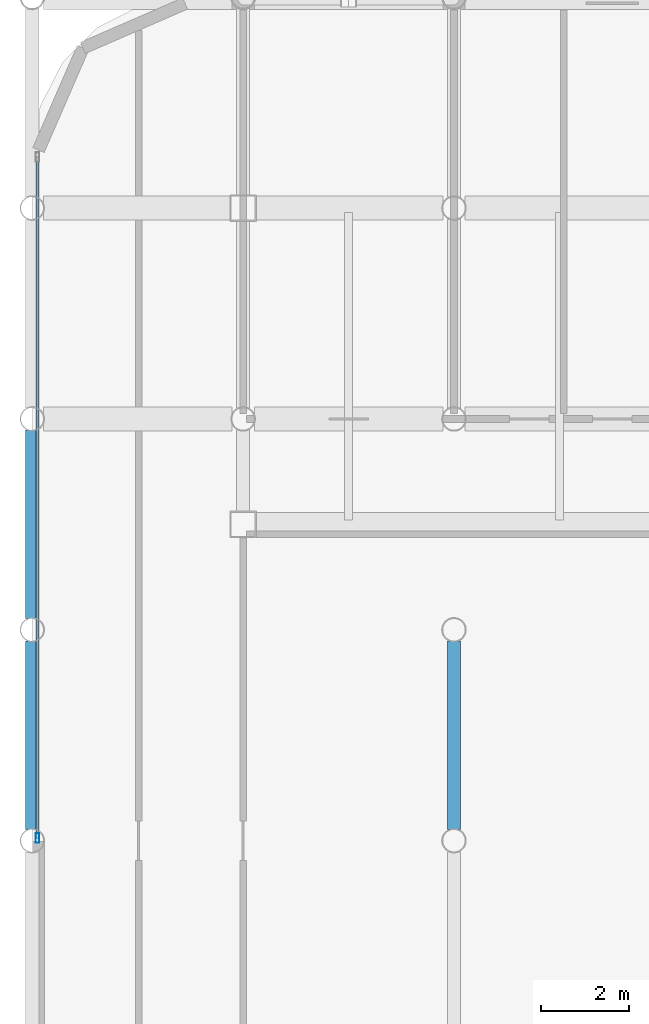
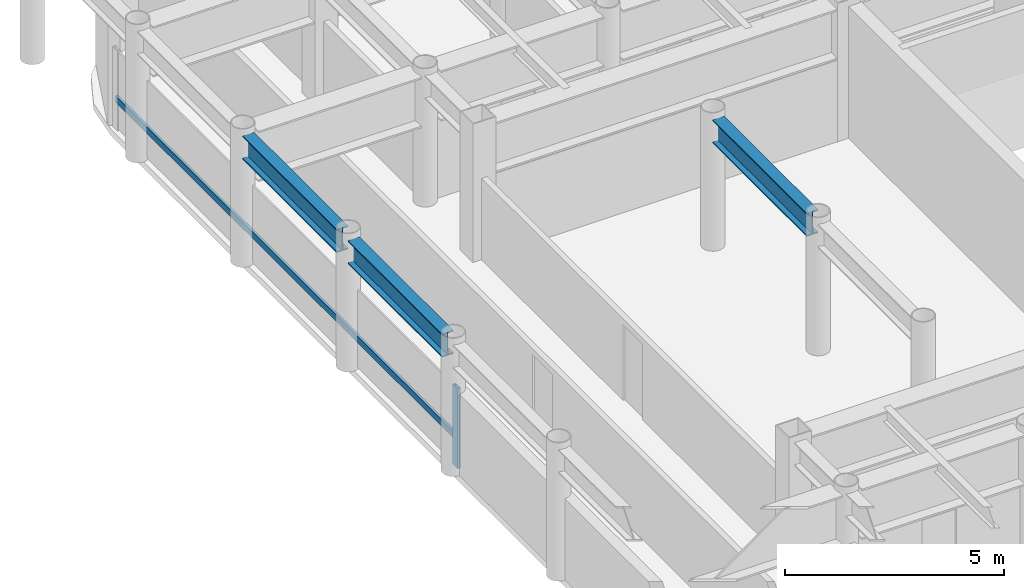
# One storey, part 6 of 22: 3 beams, 2 members, 1 element without a shape of its own.
"""IFC4 building model written with IfcOpenShell, lengths in metres."""

from ifc_helpers import new_model, si_unit, direction, frame, origin, origin_2d, place, context, subcontext, project, spatial, hollow_rectangle, i_section, extrude, material, layer, layer_set, material_profile, profile_set, type_object, element, aggregate, save


model = new_model("IFC4")

# Units and contexts
model_context = context("Model", 3, precision=1e-05, world=origin(), true_north=direction((0.0, 1.0)))
body_context = subcontext(model_context, "Body", "Model", "MODEL_VIEW")
ifc_project = project(units=[si_unit("LENGTHUNIT", "METRE"), si_unit("AREAUNIT", "SQUARE_METRE"), si_unit("VOLUMEUNIT", "CUBIC_METRE"), si_unit("PLANEANGLEUNIT", "RADIAN"), si_unit("MASSUNIT", "GRAM", prefix="KILO")], contexts=[model_context])

# Site, building, storey
site_placement = place(None, origin())
site = spatial("IfcSite", under=ifc_project, at=site_placement, CompositionType="ELEMENT")
building_placement = place(site_placement, origin())
building = spatial("IfcBuilding", under=site, at=building_placement, Name="Kallvorn Hotel Tower", CompositionType="ELEMENT")
storey_placement = place(building_placement, frame((0.0, 0.0, 191.5)))
storey = spatial("IfcBuildingStorey", under=building, at=storey_placement, Name="L47", CompositionType="ELEMENT", Elevation=191.5)

# Beams
ifc_material_1 = material(Name="Structural steel S355JR", Category="steel")
ifc_material_profile_1 = material_profile(ifc_material_1, i_section(OverallWidth=0.300048828125, OverallDepth=0.64990234375, WebThickness=0.01611328125, FlangeThickness=0.031005859375, at=origin_2d()), Name="HE 650 B")
ifc_profile_set_1 = profile_set([ifc_material_profile_1], Name="Structural steel S355JR")
beam_type = type_object("IfcBeamType", Name="BM_HE650B", PredefinedType="BEAM", material=ifc_profile_set_1)
for number, where, z_axis, x_axis, name in (
    (1, (-28.800048828125, 0.25439453125, 3.344970703125), (0.0, 1.0, 0.0), (-1.0, 0.0, 0.0), "L48 Primary Y-Girder 77"),
    (2, (-28.800048828125, 5.054443359375, 3.344970703125), (0.0, 1.0, 0.0), (-1.0, 0.0, 0.0), "L48 Primary Y-Girder 78"),
    (3, (-19.199951171875, 0.25439453125, 3.344970703125), (0.0, 1.0, 0.0), (-1.0, 0.0, 0.0), "L48 Primary Y-Girder 93"),
):
    element("IfcBeam", number, at=place(storey_placement, frame(where, z_axis=z_axis, x_axis=x_axis)), inside=storey, type_object=beam_type, Name=name, PredefinedType="BEAM", context=body_context, shape_type="SweptSolid", body=[
        extrude(i_section(OverallWidth=0.300048828125, OverallDepth=0.64990234375, WebThickness=0.01611328125, FlangeThickness=0.031005859375, at=origin_2d()), origin(), (0.0, 0.0, 1.0), 4.291015625),
    ])

# Curtain wall, members
ifc_material_2 = material(Name="Thermally broken black-anodised aluminium AA 6063-T6", Category="aluminium")
ifc_layer = layer(ifc_material_2, 0.22998046875)
ifc_layer_set = layer_set([ifc_layer], Name="CW_SYS_5_HOTEL_HIGH")
curtain_wall_type = type_object("IfcCurtainWallType", Name="CW_SYS_5_HOTEL_HIGH", PredefinedType="USERDEFINED", material=ifc_layer_set)
curtain_wall_placement = place(storey_placement, origin())
curtain_wall = element("IfcCurtainWall", 4, at=curtain_wall_placement, inside=storey, type_object=curtain_wall_type, Name="L47 Dark-Glass Curtain Wall CW-L47-WN", ObjectType="UNITISED CURTAIN WALL", PredefinedType="USERDEFINED")
ifc_material_3 = material(Name="Thermally broken black-anodised aluminium AA 6063-T6", Category="aluminium")
ifc_material_profile_2 = material_profile(ifc_material_3, hollow_rectangle(XDim=0.080078125, YDim=0.219970703125, WallThickness=0.0048828125, at=origin_2d()), Name="MUL 220x80")
ifc_profile_set_2 = profile_set([ifc_material_profile_2], Name="Thermally broken black-anodised aluminium AA 6063-T6")
member_type_1 = type_object("IfcMemberType", Name="CW_MULLION_220x80", PredefinedType="MULLION", material=ifc_profile_set_2)
member_1_placement = place(storey_placement, frame((-28.679931640625, 0.06005859375, 0.02001953125), z_axis=(0.0, 0.0, 1.0), x_axis=(1.0, 0.0, 0.0)))
member_1 = element("IfcMember", 5, at=member_1_placement, type_object=member_type_1, Name="CW-L47-WN Mullion 00", PredefinedType="MULLION", context=body_context, shape_type="SweptSolid", body=[
    extrude(hollow_rectangle(XDim=0.080078125, YDim=0.219970703125, WallThickness=0.0048828125, at=origin_2d()), origin(), (0.0, 0.0, 1.0), 2.22998046875),
])
ifc_material_4 = material(Name="Thermally broken black-anodised aluminium AA 6063-T6", Category="aluminium")
ifc_material_profile_3 = material_profile(ifc_material_4, hollow_rectangle(XDim=0.070068359375, YDim=0.179931640625, WallThickness=0.00390625, at=origin_2d()), Name="TRN 180x70")
ifc_profile_set_3 = profile_set([ifc_material_profile_3], Name="Thermally broken black-anodised aluminium AA 6063-T6")
member_type_2 = type_object("IfcMemberType", Name="CW_TRANSOM_180x70", PredefinedType="USERDEFINED", material=ifc_profile_set_3)
member_2_placement = place(storey_placement, frame((-28.679931640625, 0.06005859375, 0.85009765625), z_axis=(0.0, 1.0, 0.0), x_axis=(-1.0, 0.0, 0.0)))
member_2 = element("IfcMember", 6, at=member_2_placement, type_object=member_type_2, Name="CW-L47-WN Transom 00M", ObjectType="TRANSOM", PredefinedType="USERDEFINED", context=body_context, shape_type="SweptSolid", body=[
    extrude(hollow_rectangle(XDim=0.070068359375, YDim=0.179931640625, WallThickness=0.00390625, at=origin_2d()), origin(), (0.0, 0.0, 1.0), 15.5),
])
aggregate(curtain_wall, [member_1, member_2])

save(model, "model.ifc")
